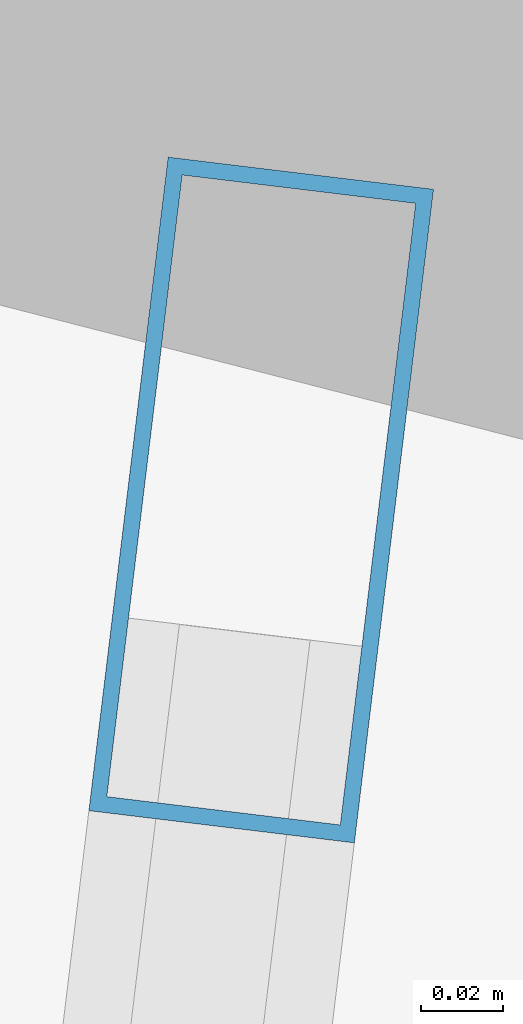
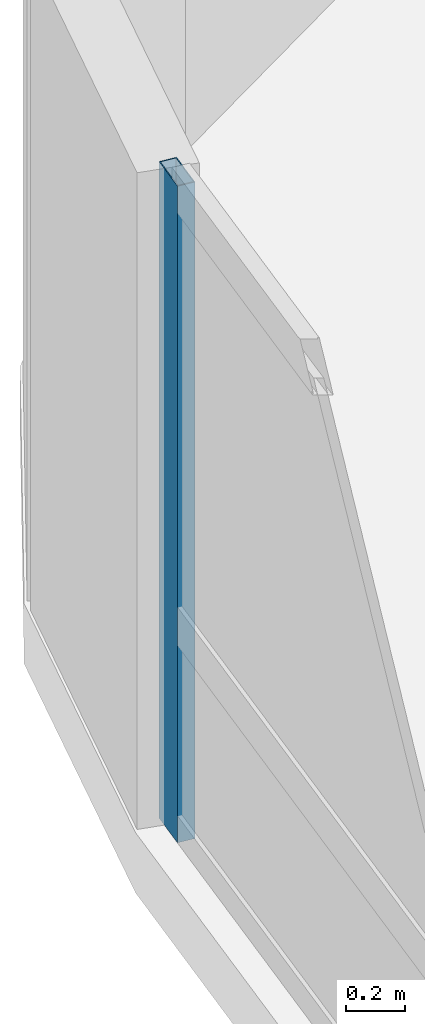
# One storey, part 12 of 26: 1 member, 1 element without a shape of its own.
"""IFC4 building model written with IfcOpenShell, lengths in metres."""

from ifc_helpers import new_model, si_unit, direction, frame, origin, origin_2d, place, context, subcontext, project, spatial, hollow_rectangle, extrude, material, layer, layer_set, material_profile, profile_set, type_object, element, aggregate, save


model = new_model("IFC4")

# Units and contexts
model_context = context("Model", 3, precision=1e-05, world=origin(), true_north=direction((0.0, 1.0)))
body_context = subcontext(model_context, "Body", "Model", "MODEL_VIEW")
ifc_project = project(units=[si_unit("LENGTHUNIT", "METRE"), si_unit("AREAUNIT", "SQUARE_METRE"), si_unit("VOLUMEUNIT", "CUBIC_METRE"), si_unit("PLANEANGLEUNIT", "RADIAN"), si_unit("MASSUNIT", "GRAM", prefix="KILO")], contexts=[model_context])

# Site, building, storey
site_placement = place(None, origin())
site = spatial("IfcSite", under=ifc_project, at=site_placement, CompositionType="ELEMENT")
building_placement = place(site_placement, origin())
building = spatial("IfcBuilding", under=site, at=building_placement, Name="Varnelok Gate Tower", CompositionType="ELEMENT")
storey_placement = place(building_placement, frame((0.0, 0.0, 151.300048828125)))
storey = spatial("IfcBuildingStorey", under=building, at=storey_placement, Name="L38", CompositionType="ELEMENT", Elevation=151.300048828125)

# Curtain wall, member
ifc_material = material(Name="Anodized Aluminum Alloy 6063-T6", Category="aluminium")
ifc_layer = layer(ifc_material, 0.179931640625)
ifc_layer_set = layer_set([ifc_layer], Name="Anodized Aluminum Alloy 6063-T6")
curtain_wall_type = type_object("IfcCurtainWallType", Name="CW3-HOTEL-VISION", PredefinedType="USERDEFINED", material=ifc_layer_set)
curtain_wall_placement = place(storey_placement, origin())
curtain_wall = element("IfcCurtainWall", 1, at=curtain_wall_placement, inside=storey, type_object=curtain_wall_type, Name="L38 West End Vision Curtain Wall", ObjectType="UNITISED CURTAIN WALL", PredefinedType="USERDEFINED")
ifc_material_profile = material_profile(ifc_material, hollow_rectangle(XDim=0.06494140625, YDim=0.159912109375, WallThickness=0.00390625, at=origin_2d()), Name="ALU160X65X4")
ifc_profile_set = profile_set([ifc_material_profile], Name="Anodized Aluminum Alloy 6063-T6")
member_type = type_object("IfcMemberType", Name="CW-MULL-160", PredefinedType="MULLION", material=ifc_profile_set)
member_placement = place(storey_placement, frame((4.57177734375, 47.596923828125, 0.0), z_axis=(0.0, 0.0, 1.0), x_axis=(-0.99273188146, 0.120347046212, 0.0)))
member = element("IfcMember", 2, at=member_placement, type_object=member_type, Name="CW3 mullion 6", PredefinedType="MULLION", context=body_context, shape_type="SweptSolid", body=[
    extrude(hollow_rectangle(XDim=0.06494140625, YDim=0.159912109375, WallThickness=0.00390625, at=origin_2d()), origin(), (0.0, 0.0, 1.0), 2.72998046875),
])
aggregate(curtain_wall, [member])

save(model, "model.ifc")
